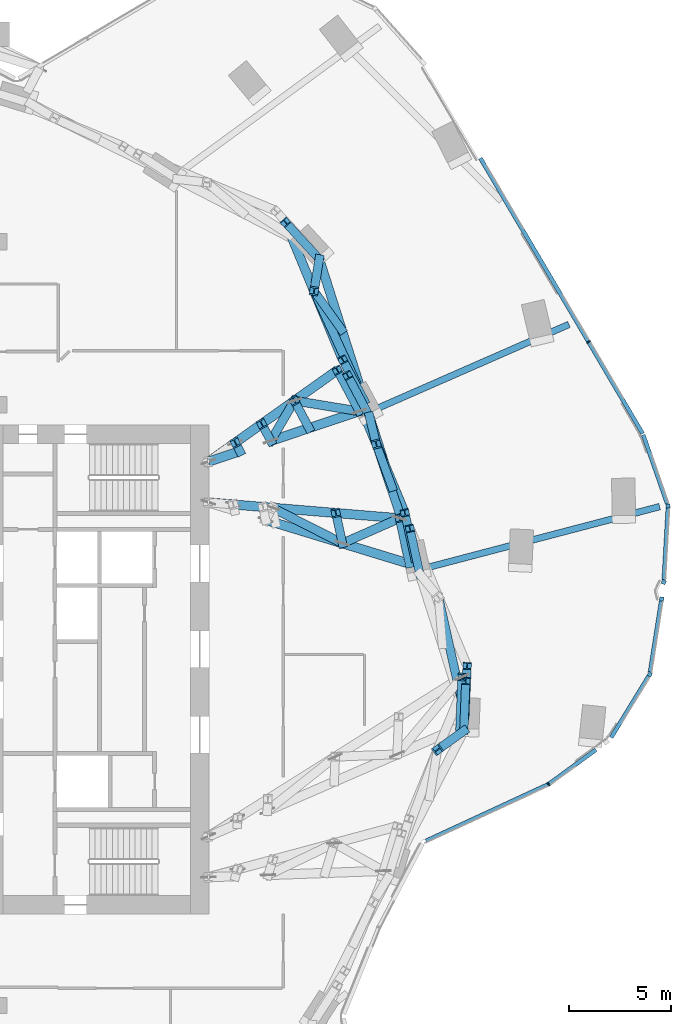
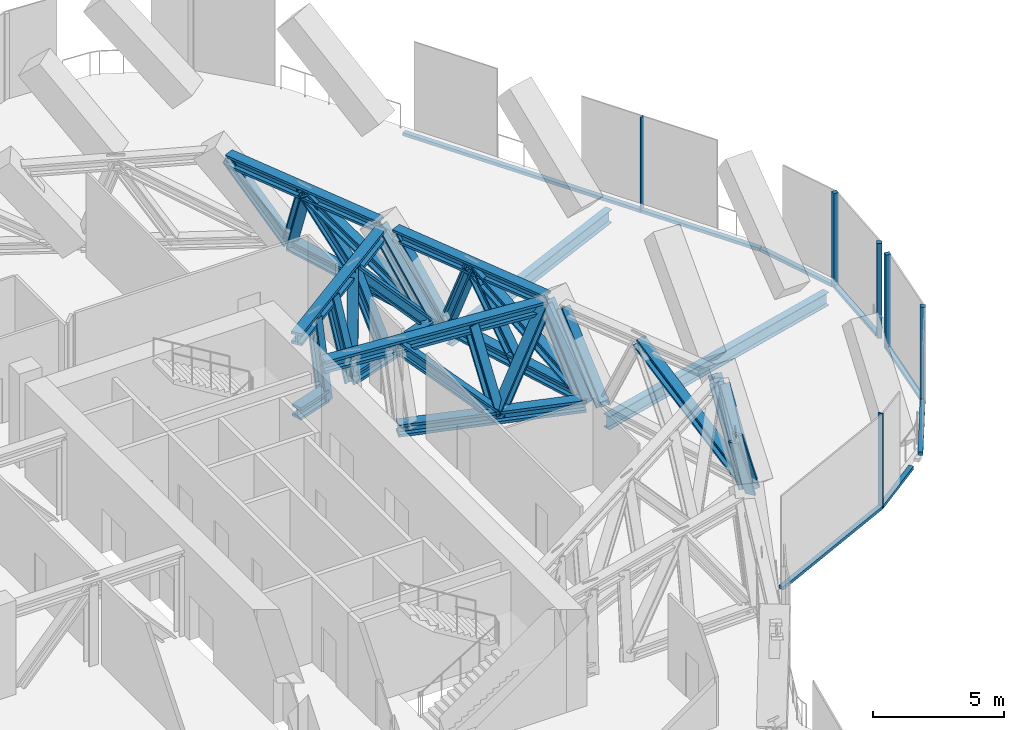
# One storey, part 10 of 31: 48 members, 2 beams, 7 elements without a shape of their own.
"""IFC4 building model written with IfcOpenShell, lengths in metres."""

from ifc_helpers import new_model, si_unit, direction, frame, origin, origin_2d, place, context, subcontext, project, spatial, rectangle, i_section, extrude, material, material_profile, profile_set, type_object, element, aggregate, save


model = new_model("IFC4")

# Units and contexts
model_context = context("Model", 3, precision=1e-05, world=origin(), true_north=direction((0.0, 1.0)))
body_context = subcontext(model_context, "Body", "Model", "MODEL_VIEW")
ifc_project = project(units=[si_unit("LENGTHUNIT", "METRE"), si_unit("AREAUNIT", "SQUARE_METRE"), si_unit("VOLUMEUNIT", "CUBIC_METRE"), si_unit("PLANEANGLEUNIT", "RADIAN"), si_unit("MASSUNIT", "GRAM", prefix="KILO")], contexts=[model_context])

# Site, building, storey
site_placement = place(None, origin())
site = spatial("IfcSite", under=ifc_project, at=site_placement, CompositionType="ELEMENT")
building_placement = place(site_placement, origin())
building = spatial("IfcBuilding", under=site, at=building_placement, Name="Orlundy Tower", CompositionType="ELEMENT")
storey_placement = place(building_placement, frame((0.0, 0.0, 271.0)))
storey = spatial("IfcBuildingStorey", under=building, at=storey_placement, Name="L72", CompositionType="ELEMENT", Elevation=271.0)

# Members
ifc_material_1 = material(Name="Steel ASTM A992 Gr 50", Category="steel")
ifc_material_profile_1 = material_profile(ifc_material_1, i_section(OverallWidth=0.4423828125, OverallDepth=0.531494140625, WebThickness=0.06591796875, FlangeThickness=0.105712890625, at=origin_2d()), Name="W14X605")
ifc_profile_set_1 = profile_set([ifc_material_profile_1], Name="Steel ASTM A992 Gr 50")
member_type_1 = type_object("IfcMemberType", Name="BELT TRUSS chord W14X605", PredefinedType="CHORD", material=ifc_profile_set_1)
member_1_placement = place(storey_placement, frame((29.111083984375, 5.452880859375, 0.28466796875), z_axis=(-0.304030502012, 0.952662297903, 0.0), x_axis=(-0.952662297903, -0.304030502012, 0.0)))
element("IfcMember", 1, at=member_1_placement, inside=storey, type_object=member_type_1, Name="Belt truss bottom chord BT-13", PredefinedType="CHORD", context=body_context, shape_type="SweptSolid", body=[
    extrude(i_section(OverallWidth=0.4423828125, OverallDepth=0.531494140625, WebThickness=0.06591796875, FlangeThickness=0.105712890625, at=origin_2d()), origin(), (0.0, 0.0, 1.0), 7.3115234375),
])
member_2_placement = place(storey_placement, frame((28.623779296875, 7.688232421875, 3.71533203125), z_axis=(-0.384366396664, 0.923180628651, 0.0), x_axis=(-0.923180628651, -0.384366396664, 0.0)))
element("IfcMember", 2, at=member_2_placement, inside=storey, type_object=member_type_1, Name="Belt truss top chord BT-13", PredefinedType="CHORD", context=body_context, shape_type="SweptSolid", body=[
    extrude(i_section(OverallWidth=0.4423828125, OverallDepth=0.531494140625, WebThickness=0.06591796875, FlangeThickness=0.105712890625, at=origin_2d()), origin(), (0.0, 0.0, 1.0), 7.310791015625),
])
member_3_placement = place(storey_placement, frame((26.6435546875, 13.18505859375, 0.28466796875), z_axis=(-0.303949252154, 0.952688223983, 0.0), x_axis=(-0.952688223983, -0.303949252154, 0.0)))
element("IfcMember", 3, at=member_3_placement, inside=storey, type_object=member_type_1, Name="Belt truss bottom chord BT-14", PredefinedType="CHORD", context=body_context, shape_type="SweptSolid", body=[
    extrude(i_section(OverallWidth=0.4423828125, OverallDepth=0.531494140625, WebThickness=0.06591796875, FlangeThickness=0.105712890625, at=origin_2d()), origin(), (0.0, 0.0, 1.0), 7.31103515625),
])
member_4_placement = place(storey_placement, frame((25.569091796875, 15.204345703125, 3.71533203125), z_axis=(-0.384366396664, 0.923180628651, 0.0), x_axis=(-0.923180628651, -0.384366396664, 0.0)))
element("IfcMember", 4, at=member_4_placement, inside=storey, type_object=member_type_1, Name="Belt truss top chord BT-14", PredefinedType="CHORD", context=body_context, shape_type="SweptSolid", body=[
    extrude(i_section(OverallWidth=0.4423828125, OverallDepth=0.531494140625, WebThickness=0.06591796875, FlangeThickness=0.105712890625, at=origin_2d()), origin(), (0.0, 0.0, 1.0), 7.310791015625),
])
ifc_material_2 = material(Name="Steel ASTM A992 Gr 50", Category="steel")
ifc_material_profile_2 = material_profile(ifc_material_2, i_section(OverallWidth=0.42431640625, OverallDepth=0.47412109375, WebThickness=0.0478515625, FlangeThickness=0.0771484375, at=origin_2d()), Name="W14X426")
ifc_profile_set_2 = profile_set([ifc_material_profile_2], Name="Steel ASTM A992 Gr 50")
member_type_2 = type_object("IfcMemberType", Name="BELT TRUSS diagonal W14X426", PredefinedType="BRACE", material=ifc_profile_set_2)
member_5_placement = place(storey_placement, frame((30.223876953125, -3.948974609375, 3.71533203125), z_axis=(0.341814889785, 0.245564464729, -0.907116682012), x_axis=(-0.583455889336, 0.812144830187, 0.0)))
element("IfcMember", 5, at=member_5_placement, inside=storey, type_object=member_type_2, Name="Belt truss diagonal BT-11-1", PredefinedType="BRACE", context=body_context, shape_type="SweptSolid", body=[
    extrude(i_section(OverallWidth=0.42431640625, OverallDepth=0.47412109375, WebThickness=0.0478515625, FlangeThickness=0.0771484375, at=origin_2d()), origin(), (0.0, 0.0, 1.0), 3.781982421875),
])
member_6_placement = place(storey_placement, frame((31.578857421875, -2.279052734375, 0.28466796875), z_axis=(-0.189545726524, 0.84607737973, 0.498222324937), x_axis=(-0.975812292252, -0.218610087348, 0.0)))
element("IfcMember", 6, at=member_6_placement, inside=storey, type_object=member_type_2, Name="Belt truss diagonal BT-12-0", PredefinedType="BRACE", context=body_context, shape_type="SweptSolid", body=[
    extrude(i_section(OverallWidth=0.42431640625, OverallDepth=0.47412109375, WebThickness=0.0478515625, FlangeThickness=0.0771484375, at=origin_2d()), origin(), (0.0, 0.0, 1.0), 6.8857421875),
])
member_7_placement = place(storey_placement, frame((29.111083984375, 5.452880859375, 0.28466796875), z_axis=(-0.276511517482, 0.819865569059, 0.501359979826), x_axis=(-0.947559881448, -0.319578270648, 0.0)))
element("IfcMember", 7, at=member_7_placement, inside=storey, type_object=member_type_2, Name="Belt truss diagonal BT-13-0", PredefinedType="BRACE", context=body_context, shape_type="SweptSolid", body=[
    extrude(i_section(OverallWidth=0.42431640625, OverallDepth=0.47412109375, WebThickness=0.0478515625, FlangeThickness=0.0771484375, at=origin_2d()), origin(), (0.0, 0.0, 1.0), 6.8427734375),
])
member_8_placement = place(storey_placement, frame((27.218994140625, 11.06298828125, 3.71533203125), z_axis=(-0.089325020579, 0.365935933015, -0.926343313047), x_axis=(-0.971476102809, -0.237137474204, 0.0)))
element("IfcMember", 8, at=member_8_placement, inside=storey, type_object=member_type_2, Name="Belt truss diagonal BT-13-1", PredefinedType="BRACE", context=body_context, shape_type="SweptSolid", body=[
    extrude(i_section(OverallWidth=0.42431640625, OverallDepth=0.47412109375, WebThickness=0.0478515625, FlangeThickness=0.0771484375, at=origin_2d()), origin(), (0.0, 0.0, 1.0), 3.703369140625),
])
member_9_placement = place(storey_placement, frame((26.6435546875, 13.18505859375, 0.28466796875), z_axis=(-0.361620956707, 0.786692932008, 0.50034439579), x_axis=(-0.90860346075, -0.417659850972, 0.0)))
element("IfcMember", 9, at=member_9_placement, inside=storey, type_object=member_type_2, Name="Belt truss diagonal BT-14-0", PredefinedType="BRACE", context=body_context, shape_type="SweptSolid", body=[
    extrude(i_section(OverallWidth=0.42431640625, OverallDepth=0.47412109375, WebThickness=0.0478515625, FlangeThickness=0.0771484375, at=origin_2d()), origin(), (0.0, 0.0, 1.0), 6.856689453125),
])
member_10_placement = place(storey_placement, frame((24.1640625, 18.5791015625, 3.71533203125), z_axis=(0.068038406165, 0.415395771987, -0.907092678783), x_axis=(-0.986850131303, 0.161637923604, 0.0)))
element("IfcMember", 10, at=member_10_placement, inside=storey, type_object=member_type_2, Name="Belt truss diagonal BT-14-1", PredefinedType="BRACE", context=body_context, shape_type="SweptSolid", body=[
    extrude(i_section(OverallWidth=0.42431640625, OverallDepth=0.47412109375, WebThickness=0.0478515625, FlangeThickness=0.0771484375, at=origin_2d()), origin(), (0.0, 0.0, 1.0), 3.781982421875),
])
ifc_material_3 = material(Name="Steel ASTM A992 Gr 50", Category="steel")
ifc_material_profile_3 = material_profile(ifc_material_3, i_section(OverallWidth=0.412109375, OverallDepth=0.434814453125, WebThickness=0.035888671875, FlangeThickness=0.057373046875, at=origin_2d()), Name="W14X311")
ifc_profile_set_3 = profile_set([ifc_material_profile_3], Name="Steel ASTM A992 Gr 50")
member_type_3 = type_object("IfcMemberType", Name="BELT TRUSS post W14X311", PredefinedType="POST", material=ifc_profile_set_3)
member_11_placement = place(storey_placement, frame((31.5166015625, -3.020263671875, 0.28466796875), z_axis=(0.023674957856, 0.581223109607, 0.813399774544), x_axis=(-0.999171442471, 0.040699245092, 0.0)))
element("IfcMember", 11, at=member_11_placement, inside=storey, type_object=member_type_3, Name="Belt truss post BT-11-2", PredefinedType="POST", context=body_context, shape_type="SweptSolid", body=[
    extrude(i_section(OverallWidth=0.412109375, OverallDepth=0.434814453125, WebThickness=0.035888671875, FlangeThickness=0.057373046875, at=origin_2d()), origin(), (0.0, 0.0, 1.0), 4.2177734375),
])
member_12_placement = place(storey_placement, frame((31.578857421875, -2.279052734375, 0.28466796875), z_axis=(0.023675754379, 0.581184777413, 0.813427140658), x_axis=(-0.999171277616, 0.040703292086, 0.0)))
element("IfcMember", 12, at=member_12_placement, inside=storey, type_object=member_type_3, Name="Belt truss post BT-12-0", PredefinedType="POST", context=body_context, shape_type="SweptSolid", body=[
    extrude(i_section(OverallWidth=0.412109375, OverallDepth=0.434814453125, WebThickness=0.035888671875, FlangeThickness=0.057373046875, at=origin_2d()), origin(), (0.0, 0.0, 1.0), 4.217529296875),
])
for number, where, z_axis, x_axis, name in (
    (13, (29.35595703125, 4.68603515625, 0.28466796875), (-0.118175823491, 0.542093106155, 0.83196727039), (-0.977052922251, -0.212996683357, 0.0), "Belt truss post BT-12-2"),
    (14, (29.111083984375, 5.452880859375, 0.28466796875), (-0.118175823491, 0.542093106155, 0.83196727039), (-0.977052922251, -0.212996683357, 0.0), "Belt truss post BT-13-0"),
):
    element("IfcMember", number, at=place(storey_placement, frame(where, z_axis=z_axis, x_axis=x_axis)), inside=storey, type_object=member_type_3, Name=name, PredefinedType="POST", context=body_context, shape_type="SweptSolid", body=[
        extrude(i_section(OverallWidth=0.412109375, OverallDepth=0.434814453125, WebThickness=0.035888671875, FlangeThickness=0.057373046875, at=origin_2d()), origin(), (0.0, 0.0, 1.0), 4.12353515625),
    ])
member_13_placement = place(storey_placement, frame((27.999755859375, 8.935546875, 0.28466796875), z_axis=(-0.189893570168, 0.517427320339, 0.834391634771), x_axis=(-0.938776458151, -0.344526866326, 0.0)))
element("IfcMember", 15, at=member_13_placement, inside=storey, type_object=member_type_3, Name="Belt truss post BT-13-1", PredefinedType="POST", context=body_context, shape_type="SweptSolid", body=[
    extrude(i_section(OverallWidth=0.412109375, OverallDepth=0.434814453125, WebThickness=0.035888671875, FlangeThickness=0.057373046875, at=origin_2d()), origin(), (0.0, 0.0, 1.0), 4.111572265625),
])
for number, where, z_axis, x_axis, name in (
    (16, (26.88818359375, 12.418212890625, 0.28466796875), (-0.260584440027, 0.489728221646, 0.832022847366), (-0.882804587879, -0.469740417272, 0.0), "Belt truss post BT-13-2"),
    (17, (26.6435546875, 13.18505859375, 0.28466796875), (-0.260584440027, 0.489728221646, 0.832022847366), (-0.882804587879, -0.469740417272, 0.0), "Belt truss post BT-14-0"),
):
    element("IfcMember", number, at=place(storey_placement, frame(where, z_axis=z_axis, x_axis=x_axis)), inside=storey, type_object=member_type_3, Name=name, PredefinedType="POST", context=body_context, shape_type="SweptSolid", body=[
        extrude(i_section(OverallWidth=0.412109375, OverallDepth=0.434814453125, WebThickness=0.035888671875, FlangeThickness=0.057373046875, at=origin_2d()), origin(), (0.0, 0.0, 1.0), 4.123291015625),
    ])
member_14_placement = place(storey_placement, frame((25.532470703125, 16.667724609375, 0.28466796875), z_axis=(-0.329041655234, 0.45960162691, 0.824922986504), x_axis=(-0.81310142413, -0.582122043971, 0.0)))
element("IfcMember", 18, at=member_14_placement, inside=storey, type_object=member_type_3, Name="Belt truss post BT-14-1", PredefinedType="POST", context=body_context, shape_type="SweptSolid", body=[
    extrude(i_section(OverallWidth=0.412109375, OverallDepth=0.434814453125, WebThickness=0.035888671875, FlangeThickness=0.057373046875, at=origin_2d()), origin(), (0.0, 0.0, 1.0), 4.15869140625),
])
member_15_placement = place(storey_placement, frame((24.42138671875, 20.150146484375, 0.28466796875), z_axis=(-0.394177620189, 0.427638431537, 0.813479794227), x_axis=(-0.735287908988, -0.677754889983, 0.0)))
element("IfcMember", 19, at=member_15_placement, inside=storey, type_object=member_type_3, Name="Belt truss post BT-14-2", PredefinedType="POST", context=body_context, shape_type="SweptSolid", body=[
    extrude(i_section(OverallWidth=0.412109375, OverallDepth=0.434814453125, WebThickness=0.035888671875, FlangeThickness=0.057373046875, at=origin_2d()), origin(), (0.0, 0.0, 1.0), 4.21728515625),
])

# Beams
ifc_material_4 = material(Name="Steel ASTM A992 Gr 50", Category="steel")
ifc_material_profile_4 = material_profile(ifc_material_4, i_section(OverallWidth=0.32373046875, OverallDepth=0.611083984375, WebThickness=0.0126953125, FlangeThickness=0.01904296875, at=origin_2d()), Name="W24X104")
ifc_profile_set_4 = profile_set([ifc_material_profile_4], Name="Steel ASTM A992 Gr 50")
beam_type = type_object("IfcBeamType", Name="CANTILEVER GIRDER beam W24X104", PredefinedType="BEAM", material=ifc_profile_set_4)
beam_1_placement = place(storey_placement, frame((41.135009765625, 7.9951171875, -0.755615234375), z_axis=(-0.967276389567, -0.253725020811, 0.0), x_axis=(0.253725020811, -0.967276389567, 0.0)))
element("IfcBeam", 20, at=beam_1_placement, inside=storey, type_object=beam_type, Name="Cantilever girder C-A2-5 L72", PredefinedType="BEAM", context=body_context, shape_type="SweptSolid", body=[
    extrude(i_section(OverallWidth=0.32373046875, OverallDepth=0.611083984375, WebThickness=0.0126953125, FlangeThickness=0.01904296875, at=origin_2d()), origin(), (0.0, 0.0, 1.0), 11.842041015625),
])
beam_2_placement = place(storey_placement, frame((36.679443359375, 16.940185546875, -0.755615234375), z_axis=(-0.915878221623, -0.401456203286, 0.0), x_axis=(0.401456203286, -0.915878221623, 0.0)))
element("IfcBeam", 21, at=beam_2_placement, inside=storey, type_object=beam_type, Name="Cantilever girder C-A3-5 L72", PredefinedType="BEAM", context=body_context, shape_type="SweptSolid", body=[
    extrude(i_section(OverallWidth=0.32373046875, OverallDepth=0.611083984375, WebThickness=0.0126953125, FlangeThickness=0.01904296875, at=origin_2d()), origin(), (0.0, 0.0, 1.0), 10.306640625),
])

# Curtain wall, members
ifc_material_5 = material(Name="Aluminium bronze anodised", Category="aluminium")
curtain_wall_type = type_object("IfcCurtainWallType", Name="CW4 wall", PredefinedType="NOTDEFINED", material=ifc_material_5)
curtain_wall_1_placement = place(storey_placement, origin())
curtain_wall_1 = element("IfcCurtainWall", 22, at=curtain_wall_1_placement, inside=storey, type_object=curtain_wall_type, Name="CW4 run 023", PredefinedType="NOTDEFINED")
ifc_material_6 = material(Name="Aluminium bronze anodised", Category="aluminium")
ifc_material_profile_5 = material_profile(ifc_material_6, rectangle(XDim=0.199951171875, YDim=0.199951171875, at=origin_2d()), Name="CW4 corner post 200x200")
ifc_profile_set_5 = profile_set([ifc_material_profile_5], Name="Aluminium bronze anodised")
member_type_4 = type_object("IfcMemberType", Name="CW4 corner post 200x200", PredefinedType="MULLION", material=ifc_profile_set_5)
member_16_placement = place(storey_placement, frame((41.5478515625, 8.023193359375, -0.449951171875), z_axis=(0.0, 0.0, 1.0), x_axis=(0.998394082315, -0.056650299193, 0.0)))
member_16 = element("IfcMember", 23, at=member_16_placement, type_object=member_type_4, Name="CW4 mullion 36", PredefinedType="MULLION", context=body_context, shape_type="SweptSolid", body=[
    extrude(rectangle(XDim=0.199951171875, YDim=0.199951171875, at=origin_2d()), origin(), (0.0, 0.0, 1.0), 4.449951171875),
])
member_17_placement = place(storey_placement, frame((41.335693359375, 4.282470703125, -0.449951171875), z_axis=(0.0, 0.0, 1.0), x_axis=(0.900551636367, -0.434749065826, 0.0)))
member_17 = element("IfcMember", 24, at=member_17_placement, type_object=member_type_4, Name="CW4 mullion 37", PredefinedType="MULLION", context=body_context, shape_type="SweptSolid", body=[
    extrude(rectangle(XDim=0.199951171875, YDim=0.199951171875, at=origin_2d()), origin(), (0.0, 0.0, 1.0), 4.449951171875),
])

# Curtain wall, member
curtain_wall_2_placement = place(storey_placement, origin())
curtain_wall_2 = element("IfcCurtainWall", 25, at=curtain_wall_2_placement, inside=storey, type_object=curtain_wall_type, Name="CW4 run 026", PredefinedType="NOTDEFINED")
member_18_placement = place(storey_placement, frame((41.22998046875, 3.461181640625, -0.449951171875), z_axis=(0.0, 0.0, 1.0), x_axis=(0.987896030416, -0.15511748157, 0.0)))
member_18 = element("IfcMember", 26, at=member_18_placement, type_object=member_type_4, Name="CW4 mullion 39", PredefinedType="MULLION", context=body_context, shape_type="SweptSolid", body=[
    extrude(rectangle(XDim=0.199951171875, YDim=0.199951171875, at=origin_2d()), origin(), (0.0, 0.0, 1.0), 4.449951171875),
])

curtain_wall_3_placement = place(storey_placement, origin())
curtain_wall_3 = element("IfcCurtainWall", 27, at=curtain_wall_3_placement, inside=storey, type_object=curtain_wall_type, Name="CW4 run 027", PredefinedType="NOTDEFINED")
member_19_placement = place(storey_placement, frame((40.648681640625, -0.240234375, -0.449951171875), z_axis=(0.0, 0.0, 1.0), x_axis=(0.85339519248, -0.521264467859, 0.0)))
member_19 = element("IfcMember", 28, at=member_19_placement, type_object=member_type_4, Name="CW4 mullion 40", PredefinedType="MULLION", context=body_context, shape_type="SweptSolid", body=[
    extrude(rectangle(XDim=0.199951171875, YDim=0.199951171875, at=origin_2d()), origin(), (0.0, 0.0, 1.0), 4.449951171875),
])

curtain_wall_4_placement = place(storey_placement, origin())
curtain_wall_4 = element("IfcCurtainWall", 29, at=curtain_wall_4_placement, inside=storey, type_object=curtain_wall_type, Name="CW4 run 021", PredefinedType="NOTDEFINED")
ifc_material_7 = material(Name="Aluminium bronze anodised", Category="aluminium")
ifc_material_profile_6 = material_profile(ifc_material_7, rectangle(XDim=0.199951171875, YDim=0.06005859375, at=origin_2d()), Name="CW4 mullion 60x200")
ifc_profile_set_6 = profile_set([ifc_material_profile_6], Name="Aluminium bronze anodised")
member_type_5 = type_object("IfcMemberType", Name="CW4 mullion 60x200", PredefinedType="MULLION", material=ifc_profile_set_6)
member_20_placement = place(storey_placement, frame((37.646728515625, 16.082275390625, -0.449951171875), z_axis=(0.0, 0.0, 1.0), x_axis=(0.861632919827, 0.507531980737, 0.0)))
member_20 = element("IfcMember", 30, at=member_20_placement, type_object=member_type_5, Name="CW4 mullion 34", PredefinedType="MULLION", context=body_context, shape_type="SweptSolid", body=[
    extrude(rectangle(XDim=0.199951171875, YDim=0.06005859375, at=origin_2d()), origin(), (0.0, 0.0, 1.0), 4.449951171875),
])

curtain_wall_5_placement = place(storey_placement, origin())
curtain_wall_5 = element("IfcCurtainWall", 31, at=curtain_wall_5_placement, inside=storey, type_object=curtain_wall_type, Name="CW4 run 029", PredefinedType="NOTDEFINED")
member_21_placement = place(storey_placement, frame((35.677001953125, -5.6376953125, -0.449951171875), z_axis=(0.0, 0.0, 1.0), x_axis=(0.506927615096, -0.861988626986, 0.0)))
member_21 = element("IfcMember", 32, at=member_21_placement, type_object=member_type_5, Name="CW4 mullion 42", PredefinedType="MULLION", context=body_context, shape_type="SweptSolid", body=[
    extrude(rectangle(XDim=0.199951171875, YDim=0.06005859375, at=origin_2d()), origin(), (0.0, 0.0, 1.0), 4.449951171875),
])

# Member
ifc_material_8 = material(Name="Aluminium bronze anodised", Category="aluminium")
ifc_material_profile_7 = material_profile(ifc_material_8, rectangle(XDim=0.199951171875, YDim=0.14990234375, at=origin_2d()), Name="CW4 transom 200x150")
ifc_profile_set_7 = profile_set([ifc_material_profile_7], Name="Aluminium bronze anodised")
member_type_6 = type_object("IfcMemberType", Name="CW4 transom 200x150", PredefinedType="USERDEFINED", material=ifc_profile_set_7)
member_22_placement = place(storey_placement, frame((32.3330078125, 25.103515625, -0.375), z_axis=(0.507517509381, -0.861641443799, 0.0), x_axis=(0.861641443799, 0.507517509381, 0.0)))
member_22 = element("IfcMember", 33, at=member_22_placement, type_object=member_type_6, Name="CW4 transom", ObjectType="TRANSOM", PredefinedType="USERDEFINED", context=body_context, shape_type="SweptSolid", body=[
    extrude(rectangle(XDim=0.199951171875, YDim=0.14990234375, at=origin_2d()), origin(), (0.0, 0.0, 1.0), 15.699462890625),
])

aggregate(curtain_wall_4, [member_20, member_22])

# Curtain wall, member
curtain_wall_6_placement = place(storey_placement, origin())
curtain_wall_6 = element("IfcCurtainWall", 34, at=curtain_wall_6_placement, inside=storey, type_object=curtain_wall_type, Name="CW4 run 022", PredefinedType="NOTDEFINED")
member_23_placement = place(storey_placement, frame((40.326171875, 11.521728515625, -0.375), z_axis=(0.329694354686, -0.944087724996, 0.0), x_axis=(0.944087724996, 0.329694354686, 0.0)))
member_23 = element("IfcMember", 35, at=member_23_placement, type_object=member_type_6, Name="CW4 transom", ObjectType="TRANSOM", PredefinedType="USERDEFINED", context=body_context, shape_type="SweptSolid", body=[
    extrude(rectangle(XDim=0.199951171875, YDim=0.14990234375, at=origin_2d()), origin(), (0.0, 0.0, 1.0), 3.597412109375),
])
aggregate(curtain_wall_6, [member_23])

# Member
member_24_placement = place(storey_placement, frame((41.542236328125, 7.92333984375, -0.375), z_axis=(-0.056646972808, -0.998394271053, 0.0), x_axis=(0.998394271053, -0.056646972808, 0.0)))
member_24 = element("IfcMember", 36, at=member_24_placement, type_object=member_type_6, Name="CW4 transom", ObjectType="TRANSOM", PredefinedType="USERDEFINED", context=body_context, shape_type="SweptSolid", body=[
    extrude(rectangle(XDim=0.199951171875, YDim=0.14990234375, at=origin_2d()), origin(), (0.0, 0.0, 1.0), 3.538330078125),
])

aggregate(curtain_wall_1, [member_16, member_17, member_24])

member_25_placement = place(storey_placement, frame((41.21435546875, 3.3623046875, -0.375), z_axis=(-0.155105088058, -0.987897976341, 0.0), x_axis=(0.987897976341, -0.155105088058, 0.0)))
member_25 = element("IfcMember", 37, at=member_25_placement, type_object=member_type_6, Name="CW4 transom", ObjectType="TRANSOM", PredefinedType="USERDEFINED", context=body_context, shape_type="SweptSolid", body=[
    extrude(rectangle(XDim=0.199951171875, YDim=0.14990234375, at=origin_2d()), origin(), (0.0, 0.0, 1.0), 3.538330078125),
])

aggregate(curtain_wall_2, [member_18, member_25])

member_26_placement = place(storey_placement, frame((40.5966796875, -0.325439453125, -0.375), z_axis=(-0.52126856712, -0.853392688586, 0.0), x_axis=(0.853392688586, -0.52126856712, 0.0)))
member_26 = element("IfcMember", 38, at=member_26_placement, type_object=member_type_6, Name="CW4 transom", ObjectType="TRANSOM", PredefinedType="USERDEFINED", context=body_context, shape_type="SweptSolid", body=[
    extrude(rectangle(XDim=0.199951171875, YDim=0.14990234375, at=origin_2d()), origin(), (0.0, 0.0, 1.0), 3.5380859375),
])

aggregate(curtain_wall_3, [member_19, member_26])

# Curtain wall, member
curtain_wall_7_placement = place(storey_placement, origin())
curtain_wall_7 = element("IfcCurtainWall", 39, at=curtain_wall_7_placement, inside=storey, type_object=curtain_wall_type, Name="CW4 run 028", PredefinedType="NOTDEFINED")
member_27_placement = place(storey_placement, frame((38.006103515625, -3.93994140625, -0.375), z_axis=(-0.808102608396, -0.589041742412, 0.0), x_axis=(0.589041742412, -0.808102608396, 0.0)))
member_27 = element("IfcMember", 40, at=member_27_placement, type_object=member_type_6, Name="CW4 transom", ObjectType="TRANSOM", PredefinedType="USERDEFINED", context=body_context, shape_type="SweptSolid", body=[
    extrude(rectangle(XDim=0.199951171875, YDim=0.14990234375, at=origin_2d()), origin(), (0.0, 0.0, 1.0), 2.85205078125),
])
aggregate(curtain_wall_7, [member_27])

# Member
member_28_placement = place(storey_placement, frame((35.649658203125, -5.650390625, -0.375), z_axis=(-0.907555368622, -0.419932438477, 0.0), x_axis=(0.419932438477, -0.907555368622, 0.0)))
member_28 = element("IfcMember", 41, at=member_28_placement, type_object=member_type_6, Name="CW4 transom", ObjectType="TRANSOM", PredefinedType="USERDEFINED", context=body_context, shape_type="SweptSolid", body=[
    extrude(rectangle(XDim=0.199951171875, YDim=0.14990234375, at=origin_2d()), origin(), (0.0, 0.0, 1.0), 6.60400390625),
])

aggregate(curtain_wall_5, [member_21, member_28])

# Members
ifc_material_9 = material(Name="Steel ASTM A992 Gr 50", Category="steel")
ifc_material_profile_8 = material_profile(ifc_material_9, i_section(OverallWidth=0.454345703125, OverallDepth=0.569580078125, WebThickness=0.077880859375, FlangeThickness=0.124755859375, at=origin_2d()), Name="W14X730")
ifc_profile_set_8 = profile_set([ifc_material_profile_8], Name="Steel ASTM A992 Gr 50")
member_type_7 = type_object("IfcMemberType", Name="OUTRIGGER TRUSS chord W14X730", PredefinedType="CHORD", material=ifc_profile_set_8)
member_29_placement = place(storey_placement, frame((21.792724609375, 7.34130859375, 0.28466796875), z_axis=(0.956415001671, -0.292010863802, 0.0), x_axis=(0.292010863802, 0.956415001671, 0.0)))
element("IfcMember", 42, at=member_29_placement, inside=storey, type_object=member_type_7, Name="Outrigger truss bottom chord OR-E-C-H062", PredefinedType="CHORD", context=body_context, shape_type="SweptSolid", body=[
    extrude(i_section(OverallWidth=0.454345703125, OverallDepth=0.569580078125, WebThickness=0.077880859375, FlangeThickness=0.124755859375, at=origin_2d()), origin(), (0.0, 0.0, 1.0), 7.37744140625),
])
member_30_placement = place(storey_placement, frame((18.97998046875, 8.199951171875, 3.71533203125), z_axis=(0.9965825059, -0.082603322784, 0.0), x_axis=(0.082603322784, 0.9965825059, 0.0)))
element("IfcMember", 43, at=member_30_placement, inside=storey, type_object=member_type_7, Name="Outrigger truss top chord OR-E-C-H06", PredefinedType="CHORD", context=body_context, shape_type="SweptSolid", body=[
    extrude(i_section(OverallWidth=0.454345703125, OverallDepth=0.569580078125, WebThickness=0.077880859375, FlangeThickness=0.124755859375, at=origin_2d()), origin(), (0.0, 0.0, 1.0), 9.41357421875),
])
member_31_placement = place(storey_placement, frame((18.97998046875, 10.199951171875, 0.28466796875), z_axis=(0.948442798182, 0.316948353168, 0.0), x_axis=(-0.316948353168, 0.948442798182, 0.0)))
element("IfcMember", 44, at=member_31_placement, inside=storey, type_object=member_type_7, Name="Outrigger truss bottom chord OR-E-C-H05", PredefinedType="CHORD", context=body_context, shape_type="SweptSolid", body=[
    extrude(i_section(OverallWidth=0.454345703125, OverallDepth=0.569580078125, WebThickness=0.077880859375, FlangeThickness=0.124755859375, at=origin_2d()), origin(), (0.0, 0.0, 1.0), 1.6259765625),
])
member_32_placement = place(storey_placement, frame((22.039794921875, 11.222412109375, 0.28466796875), z_axis=(0.948448510148, 0.316931260051, 0.0), x_axis=(-0.316931260051, 0.948448510148, 0.0)))
element("IfcMember", 45, at=member_32_placement, inside=storey, type_object=member_type_7, Name="Outrigger truss bottom chord OR-E-C-H052", PredefinedType="CHORD", context=body_context, shape_type="SweptSolid", body=[
    extrude(i_section(OverallWidth=0.454345703125, OverallDepth=0.569580078125, WebThickness=0.077880859375, FlangeThickness=0.124755859375, at=origin_2d()), origin(), (0.0, 0.0, 1.0), 4.580322265625),
])
member_33_placement = place(storey_placement, frame((18.97998046875, 10.199951171875, 3.71533203125), z_axis=(0.815430044464, 0.578855631903, 0.0), x_axis=(-0.578855631903, 0.815430044464, 0.0)))
element("IfcMember", 46, at=member_33_placement, inside=storey, type_object=member_type_7, Name="Outrigger truss top chord OR-E-C-H05", PredefinedType="CHORD", context=body_context, shape_type="SweptSolid", body=[
    extrude(i_section(OverallWidth=0.454345703125, OverallDepth=0.569580078125, WebThickness=0.077880859375, FlangeThickness=0.124755859375, at=origin_2d()), origin(), (0.0, 0.0, 1.0), 7.762451171875),
])
ifc_material_10 = material(Name="Steel ASTM A992 Gr 50", Category="steel")
ifc_material_profile_9 = material_profile(ifc_material_10, i_section(OverallWidth=0.43212890625, OverallDepth=0.497802734375, WebThickness=0.0556640625, FlangeThickness=0.0888671875, at=origin_2d()), Name="W14X500")
ifc_profile_set_9 = profile_set([ifc_material_profile_9], Name="Steel ASTM A992 Gr 50")
member_type_8 = type_object("IfcMemberType", Name="OUTRIGGER TRUSS diagonal W14X500", PredefinedType="BRACE", material=ifc_profile_set_9)
member_34_placement = place(storey_placement, frame((22.107177734375, 7.94091796875, 3.71533203125), z_axis=(0.66746764108, -0.338289349741, -0.663360583667), x_axis=(0.452077236734, 0.891978795727, 0.0)))
element("IfcMember", 47, at=member_34_placement, inside=storey, type_object=member_type_8, Name="Outrigger truss diagonal OR-E-C-H06-3", PredefinedType="BRACE", context=body_context, shape_type="SweptSolid", body=[
    extrude(i_section(OverallWidth=0.43212890625, OverallDepth=0.497802734375, WebThickness=0.0556640625, FlangeThickness=0.0888671875, at=origin_2d()), origin(), (0.0, 0.0, 1.0), 5.171630859375),
])
member_35_placement = place(storey_placement, frame((25.55908203125, 6.19140625, 0.28466796875), z_axis=(0.609511038669, 0.26774304382, 0.746196995589), x_axis=(-0.402182527053, 0.915559509225, 0.0)))
element("IfcMember", 48, at=member_35_placement, inside=storey, type_object=member_type_8, Name="Outrigger truss diagonal OR-E-C-H06-4", PredefinedType="BRACE", context=body_context, shape_type="SweptSolid", body=[
    extrude(i_section(OverallWidth=0.43212890625, OverallDepth=0.497802734375, WebThickness=0.0556640625, FlangeThickness=0.0888671875, at=origin_2d()), origin(), (0.0, 0.0, 1.0), 4.597412109375),
])
member_36_placement = place(storey_placement, frame((22.039794921875, 11.222412109375, 0.28466796875), z_axis=(0.281252587429, 0.478443151252, 0.831858842043), x_axis=(-0.862079509573, 0.506773045036, 0.0)))
element("IfcMember", 49, at=member_36_placement, inside=storey, type_object=member_type_8, Name="Outrigger truss diagonal OR-E-C-H05-2", PredefinedType="BRACE", context=body_context, shape_type="SweptSolid", body=[
    extrude(i_section(OverallWidth=0.43212890625, OverallDepth=0.497802734375, WebThickness=0.0556640625, FlangeThickness=0.0888671875, at=origin_2d()), origin(), (0.0, 0.0, 1.0), 4.1240234375),
])
member_37_placement = place(storey_placement, frame((23.19970703125, 13.195556640625, 3.71533203125), z_axis=(0.676119879715, -0.110725451435, -0.728424177701), x_axis=(0.161613167293, 0.986854185864, 0.0)))
element("IfcMember", 50, at=member_37_placement, inside=storey, type_object=member_type_8, Name="Outrigger truss diagonal OR-E-C-H05-3", PredefinedType="BRACE", context=body_context, shape_type="SweptSolid", body=[
    extrude(i_section(OverallWidth=0.43212890625, OverallDepth=0.497802734375, WebThickness=0.0556640625, FlangeThickness=0.0888671875, at=origin_2d()), origin(), (0.0, 0.0, 1.0), 4.709716796875),
])
ifc_material_11 = material(Name="Steel ASTM A992 Gr 50", Category="steel")
ifc_material_profile_10 = material_profile(ifc_material_11, i_section(OverallWidth=0.41845703125, OverallDepth=0.455078125, WebThickness=0.0419921875, FlangeThickness=0.067626953125, at=origin_2d()), Name="W14X370")
ifc_profile_set_10 = profile_set([ifc_material_profile_10], Name="Steel ASTM A992 Gr 50")
member_type_9 = type_object("IfcMemberType", Name="OUTRIGGER TRUSS post W14X370", PredefinedType="POST", material=ifc_profile_set_10)
member_38_placement = place(storey_placement, frame((31.332275390625, -2.8232421875, 0.28466796875), z_axis=(0.023617105199, 0.581223905158, 0.813400887887), x_axis=(-0.99917548414, 0.040599900162, 0.0)))
element("IfcMember", 51, at=member_38_placement, inside=storey, type_object=member_type_9, Name="Outrigger truss post OR-E-C-H07-5", PredefinedType="POST", context=body_context, shape_type="SweptSolid", body=[
    extrude(i_section(OverallWidth=0.41845703125, OverallDepth=0.455078125, WebThickness=0.0419921875, FlangeThickness=0.067626953125, at=origin_2d()), origin(), (0.0, 0.0, 1.0), 4.2177734375),
])
member_39_placement = place(storey_placement, frame((25.55908203125, 6.19140625, 0.28466796875), z_axis=(-0.086551083432, 0.396925479539, 0.913760949948), x_axis=(-0.977041817208, -0.213047617743, 0.0)))
element("IfcMember", 52, at=member_39_placement, inside=storey, type_object=member_type_9, Name="Outrigger truss post OR-E-C-H06-4", PredefinedType="POST", context=body_context, shape_type="SweptSolid", body=[
    extrude(i_section(OverallWidth=0.41845703125, OverallDepth=0.455078125, WebThickness=0.0419921875, FlangeThickness=0.067626953125, at=origin_2d()), origin(), (0.0, 0.0, 1.0), 3.75439453125),
])
member_40_placement = place(storey_placement, frame((28.8486328125, 5.18701171875, 0.28466796875), z_axis=(-0.118175823491, 0.542093106155, 0.83196727039), x_axis=(-0.977052922251, -0.212996683357, 0.0)))
element("IfcMember", 53, at=member_40_placement, inside=storey, type_object=member_type_9, Name="Outrigger truss post OR-E-C-H06-5", PredefinedType="POST", context=body_context, shape_type="SweptSolid", body=[
    extrude(i_section(OverallWidth=0.41845703125, OverallDepth=0.455078125, WebThickness=0.0419921875, FlangeThickness=0.067626953125, at=origin_2d()), origin(), (0.0, 0.0, 1.0), 4.12353515625),
])
member_41_placement = place(storey_placement, frame((20.522216796875, 10.71533203125, 0.0), z_axis=(-0.059768002673, 0.112301274379, 0.991875097797), x_axis=(-0.882763895386, -0.469816884544, 0.0)))
element("IfcMember", 54, at=member_41_placement, inside=storey, type_object=member_type_9, Name="Outrigger truss post OR-E-C-H05-1", PredefinedType="POST", context=body_context, shape_type="SweptSolid", body=[
    extrude(i_section(OverallWidth=0.41845703125, OverallDepth=0.455078125, WebThickness=0.0419921875, FlangeThickness=0.067626953125, at=origin_2d()), origin(), (0.0, 0.0, 1.0), 3.745849609375),
])
member_42_placement = place(storey_placement, frame((22.039794921875, 11.222412109375, 0.0), z_axis=(-0.115838959432, 0.217667709367, 0.969124400568), x_axis=(-0.882774401526, -0.469797143468, 0.0)))
element("IfcMember", 55, at=member_42_placement, inside=storey, type_object=member_type_9, Name="Outrigger truss post OR-E-C-H05-2", PredefinedType="POST", context=body_context, shape_type="SweptSolid", body=[
    extrude(i_section(OverallWidth=0.41845703125, OverallDepth=0.455078125, WebThickness=0.0419921875, FlangeThickness=0.067626953125, at=origin_2d()), origin(), (0.0, 0.0, 1.0), 3.833740234375),
])
member_43_placement = place(storey_placement, frame((23.916015625, 11.849365234375, 0.28466796875), z_axis=(-0.190796731428, 0.358572998328, 0.913795388556), x_axis=(-0.882804587879, -0.469740417272, 0.0)))
element("IfcMember", 56, at=member_43_placement, inside=storey, type_object=member_type_9, Name="Outrigger truss post OR-E-C-H05-3", PredefinedType="POST", context=body_context, shape_type="SweptSolid", body=[
    extrude(i_section(OverallWidth=0.41845703125, OverallDepth=0.455078125, WebThickness=0.0419921875, FlangeThickness=0.067626953125, at=origin_2d()), origin(), (0.0, 0.0, 1.0), 3.75439453125),
])
member_44_placement = place(storey_placement, frame((26.384033203125, 12.674072265625, 0.28466796875), z_axis=(-0.2605292491, 0.489735777115, 0.832035683716), x_axis=(-0.882848847979, -0.469657227797, 0.0)))
element("IfcMember", 57, at=member_44_placement, inside=storey, type_object=member_type_9, Name="Outrigger truss post OR-E-C-H05-4", PredefinedType="POST", context=body_context, shape_type="SweptSolid", body=[
    extrude(i_section(OverallWidth=0.41845703125, OverallDepth=0.455078125, WebThickness=0.0419921875, FlangeThickness=0.067626953125, at=origin_2d()), origin(), (0.0, 0.0, 1.0), 4.123291015625),
])

save(model, "model.ifc")
